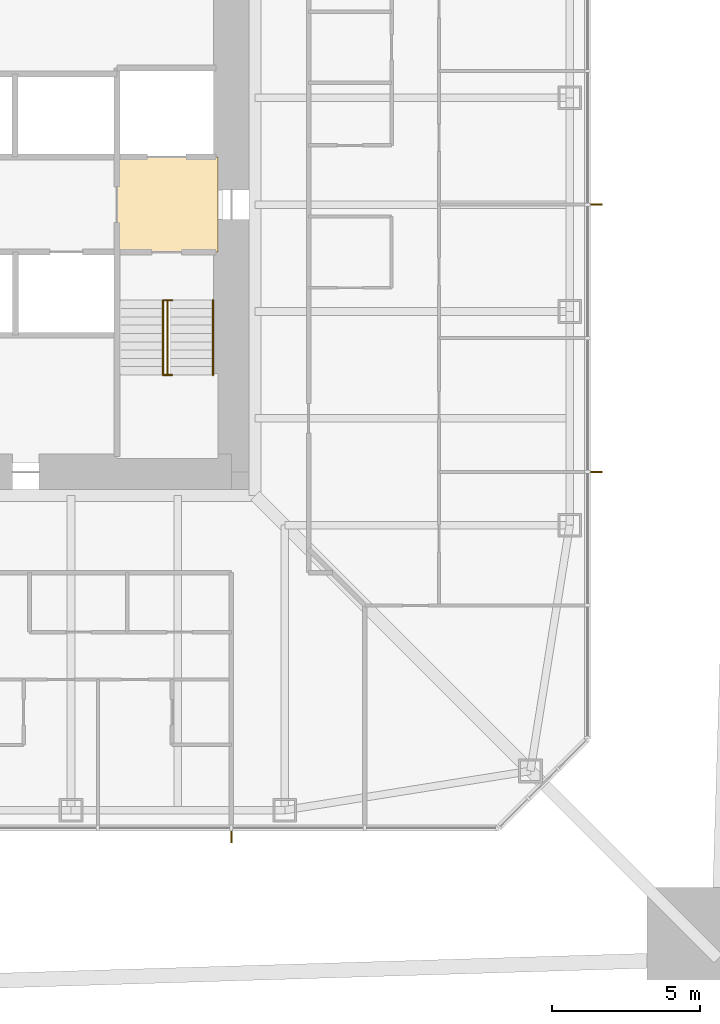
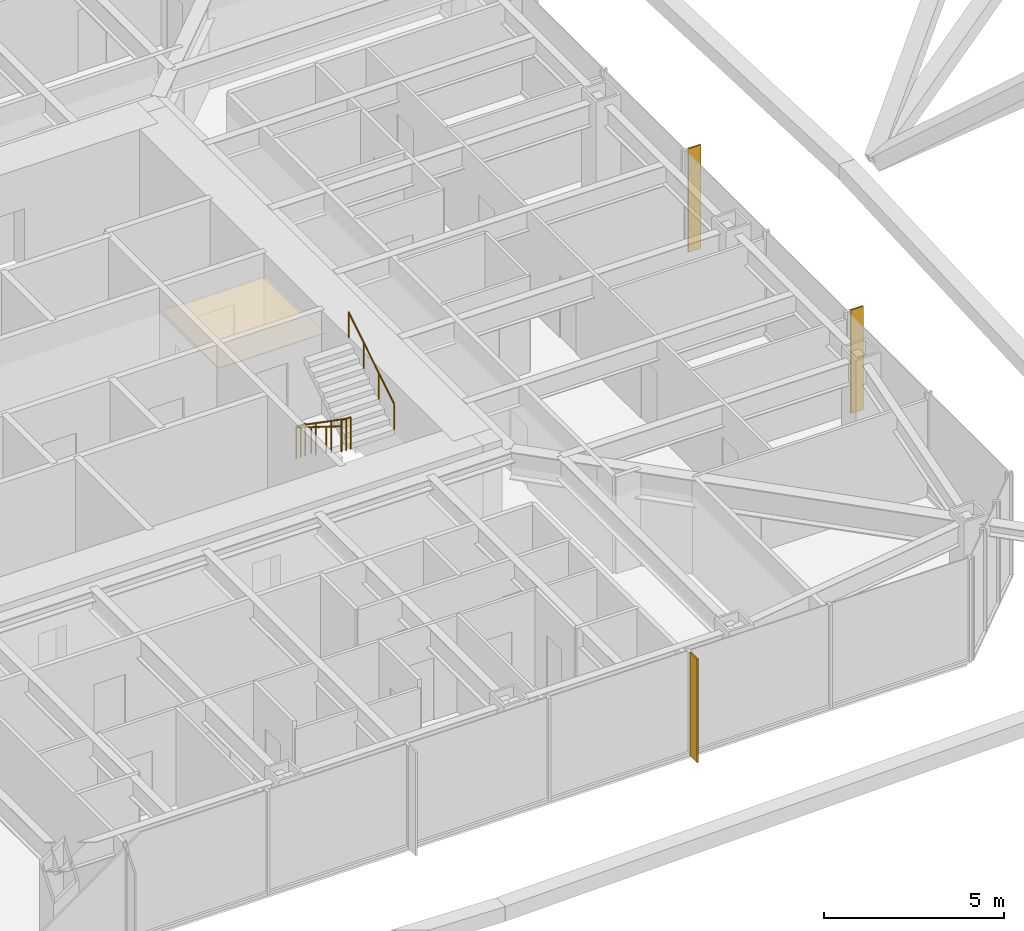
# One storey, part 25 of 27: 3 railings, 3 shading devices, 1 covering.
"""IFC4 building model written with IfcOpenShell, lengths in metres."""

from ifc_helpers import new_model, si_unit, direction, frame, origin, origin_2d, place, context, subcontext, project, spatial, polyline, rectangle, circle, outline, extrude, material, layer, layer_set, constituent, constituent_set, type_object, element, save


model = new_model("IFC4")

# Units and contexts
model_context = context("Model", 3, precision=1e-05, world=origin(), true_north=direction((0.0, 1.0)))
body_context = subcontext(model_context, "Body", "Model", "MODEL_VIEW")
ifc_project = project(units=[si_unit("LENGTHUNIT", "METRE"), si_unit("AREAUNIT", "SQUARE_METRE"), si_unit("VOLUMEUNIT", "CUBIC_METRE"), si_unit("PLANEANGLEUNIT", "RADIAN"), si_unit("MASSUNIT", "GRAM", prefix="KILO")], contexts=[model_context])

# Site, building, storey
site_placement = place(None, origin())
site = spatial("IfcSite", under=ifc_project, at=site_placement, CompositionType="ELEMENT")
building_placement = place(site_placement, origin())
building = spatial("IfcBuilding", under=site, at=building_placement, Name="Iwan Alto Co-Living Towers", CompositionType="ELEMENT")
storey_placement = place(building_placement, frame((0.0, 0.0, 91.0)))
storey = spatial("IfcBuildingStorey", under=building, at=storey_placement, Name="L24", CompositionType="ELEMENT", Elevation=91.0)

# Covering
ifc_material_1 = material(Name="Mineral fibre acoustic tiles on steel grid", Category="steel")
ifc_layer_1 = layer(ifc_material_1, 0.02001953125)
ifc_layer_set_1 = layer_set([ifc_layer_1], Name="ACOUSTIC TILE CEILING 20")
covering_type = type_object("IfcCoveringType", Name="ACOUSTIC TILE CEILING 20", PredefinedType="CEILING", material=ifc_layer_set_1)
covering_placement = place(storey_placement, frame((0.0, 0.0, 2.60009765625)))
element("IfcCovering", 1, at=covering_placement, inside=storey, type_object=covering_type, Name="Ceiling Firefighting lobby L24", PredefinedType="CEILING", context=body_context, shape_type="SweptSolid", body=[
    extrude(outline(polyline([(5.14990234375, -1.60009765625), (5.14990234375, 1.60009765625), (8.550048828125, 1.60009765625), (8.550048828125, -1.60009765625), (5.14990234375, -1.60009765625)])), origin(), (0.0, 0.0, 1.0), 0.02001953125),
])

# Shading devices
ifc_material_2 = material(Name="Aluminium 6063-T6 bronze anodised", Category="aluminium")
ifc_layer_2 = layer(ifc_material_2, 0.050048828125)
ifc_layer_set_2 = layer_set([ifc_layer_2], Name="BRONZE FIN 50X400")
shading_device_type = type_object("IfcShadingDeviceType", Name="BRONZE FIN 50X400", PredefinedType="USERDEFINED", material=ifc_layer_set_2)
for number, where, z_axis, x_axis, name in (
    (2, (9.0, -21.300048828125, 0.0), (0.0, 0.0, 1.0), (1.0, 0.0, 0.0), "Bronze fin L24"),
    (3, (21.300048828125, -9.0, 0.0), (0.0, 0.0, 1.0), (0.0, 1.0, 0.0), "Bronze fin L24"),
    (4, (21.300048828125, 0.0, 0.0), (0.0, 0.0, 1.0), (0.0, 1.0, 0.0), "Bronze fin L24"),
):
    element("IfcShadingDevice", number, at=place(storey_placement, frame(where, z_axis=z_axis, x_axis=x_axis)), inside=storey, type_object=shading_device_type, Name=name, ObjectType="LOUVER", PredefinedType="USERDEFINED", context=body_context, shape_type="SweptSolid", body=[
        extrude(rectangle(XDim=0.050048828125, YDim=0.39990234375, at=origin_2d()), origin(), (0.0, 0.0, 1.0), 3.5),
    ])

# Railings
ifc_material_3 = material(Name="Steel ASTM A500 Gr C", Category="steel")
ifc_constituent_1 = constituent(ifc_material_3, Name="Rails and posts", Category="Framing")
ifc_material_4 = material(Name="Steel ASTM A36", Category="steel")
ifc_constituent_2 = constituent(ifc_material_4, Name="Bar infill", Category="Infill")
ifc_constituent_set = constituent_set(constituents=[ifc_constituent_1, ifc_constituent_2], Name="STAIR GUARD 1100")
railing_type_1 = type_object("IfcRailingType", Name="STAIR GUARD 1100", PredefinedType="GUARDRAIL", material=ifc_constituent_set)
railing_1_placement = place(storey_placement, frame((6.85009765625, -3.219970703125, 0.0)))
element("IfcRailing", 5, at=railing_1_placement, inside=storey, type_object=railing_type_1, Name="Stair T1-S2 well guard L24", PredefinedType="GUARDRAIL", context=body_context, shape_type="SweptSolid", body=[
    extrude(circle(Radius=0.02392578125, at=origin_2d()), frame((0.0, 0.0, 1.076171875), z_axis=(0.0, -0.821372036852, 0.570392826987), x_axis=(1.0, 0.0, 0.0)), (0.0, 0.0, 1.0), 3.068115234375),
    extrude(circle(Radius=0.02392578125, at=origin_2d()), frame((-0.150146484375, 0.0, 1.076171875), z_axis=(1.0, 0.0, 0.0), x_axis=(0.0, 1.0, 0.0)), (0.0, 0.0, 1.0), 0.300048828125),
    extrude(circle(Radius=0.02392578125, at=origin_2d()), frame((-0.150146484375, -2.52001953125, 2.826171875), z_axis=(1.0, 0.0, 0.0), x_axis=(0.0, 1.0, 0.0)), (0.0, 0.0, 1.0), 0.300048828125),
    extrude(circle(Radius=0.02099609375, at=origin_2d()), origin(), (0.0, 0.0, 1.0), 1.052001953125),
    extrude(circle(Radius=0.02099609375, at=origin_2d()), frame((0.0, -0.840087890625, 0.583251953125)), (0.0, 0.0, 1.0), 1.052001953125),
    extrude(circle(Radius=0.02099609375, at=origin_2d()), frame((0.0, -1.679931640625, 1.166748046875)), (0.0, 0.0, 1.0), 1.052001953125),
    extrude(circle(Radius=0.02099609375, at=origin_2d()), frame((0.0, -2.52001953125, 1.75)), (0.0, 0.0, 1.0), 1.052001953125),
    extrude(circle(Radius=0.02099609375, at=origin_2d()), frame((-0.150146484375, 0.0, 0.0)), (0.0, 0.0, 1.0), 1.052001953125),
    extrude(circle(Radius=0.02099609375, at=origin_2d()), frame((0.14990234375, 0.0, 0.0)), (0.0, 0.0, 1.0), 1.052001953125),
    extrude(circle(Radius=0.02099609375, at=origin_2d()), frame((-0.150146484375, -2.52001953125, 1.75)), (0.0, 0.0, 1.0), 1.052001953125),
    extrude(circle(Radius=0.02099609375, at=origin_2d()), frame((0.14990234375, -2.52001953125, 1.75)), (0.0, 0.0, 1.0), 1.052001953125),
])
ifc_material_5 = material(Name="Steel ASTM A500 Gr C", Category="steel")
railing_type_2 = type_object("IfcRailingType", Name="STAIR HANDRAIL 900", PredefinedType="HANDRAIL", material=ifc_material_5)
railing_2_placement = place(storey_placement, frame((6.699951171875, -3.219970703125, 0.175048828125)))
element("IfcRailing", 6, at=railing_2_placement, inside=storey, type_object=railing_type_2, Name="Stair T1-S2 handrail 1 L24", PredefinedType="HANDRAIL", context=body_context, shape_type="SweptSolid", body=[
    extrude(circle(Radius=0.02392578125, at=origin_2d()), frame((0.0, 0.0, 0.8759765625), z_axis=(0.0, -0.848007534815, 0.529984170421), x_axis=(1.0, 0.0, 0.0)), (0.0, 0.0, 1.0), 2.9716796875),
    extrude(circle(Radius=0.02099609375, at=origin_2d()), origin(), (0.0, 0.0, 1.0), 0.851806640625),
    extrude(circle(Radius=0.02099609375, at=origin_2d()), frame((0.0, -0.840087890625, 0.52490234375)), (0.0, 0.0, 1.0), 0.851806640625),
    extrude(circle(Radius=0.02099609375, at=origin_2d()), frame((0.0, -1.679931640625, 1.050048828125)), (0.0, 0.0, 1.0), 0.851806640625),
    extrude(circle(Radius=0.02099609375, at=origin_2d()), frame((0.0, -2.52001953125, 1.574951171875)), (0.0, 0.0, 1.0), 0.851806640625),
])
railing_3_placement = place(storey_placement, frame((8.3798828125, -5.739990234375, 1.925048828125)))
element("IfcRailing", 7, at=railing_3_placement, inside=storey, type_object=railing_type_2, Name="Stair T1-S2 handrail 2 L24", PredefinedType="HANDRAIL", context=body_context, shape_type="SweptSolid", body=[
    extrude(circle(Radius=0.02392578125, at=origin_2d()), frame((0.0, 0.0, 0.8759765625), z_axis=(0.0, 0.848007534815, 0.529984170421), x_axis=(-1.0, 0.0, 0.0)), (0.0, 0.0, 1.0), 2.9716796875),
    extrude(circle(Radius=0.02099609375, at=origin_2d()), origin(), (0.0, 0.0, 1.0), 0.851806640625),
    extrude(circle(Radius=0.02099609375, at=origin_2d()), frame((0.0, 0.840087890625, 0.52490234375)), (0.0, 0.0, 1.0), 0.851806640625),
    extrude(circle(Radius=0.02099609375, at=origin_2d()), frame((0.0, 1.679931640625, 1.050048828125)), (0.0, 0.0, 1.0), 0.851806640625),
    extrude(circle(Radius=0.02099609375, at=origin_2d()), frame((0.0, 2.52001953125, 1.574951171875)), (0.0, 0.0, 1.0), 0.851806640625),
])

save(model, "model.ifc")
